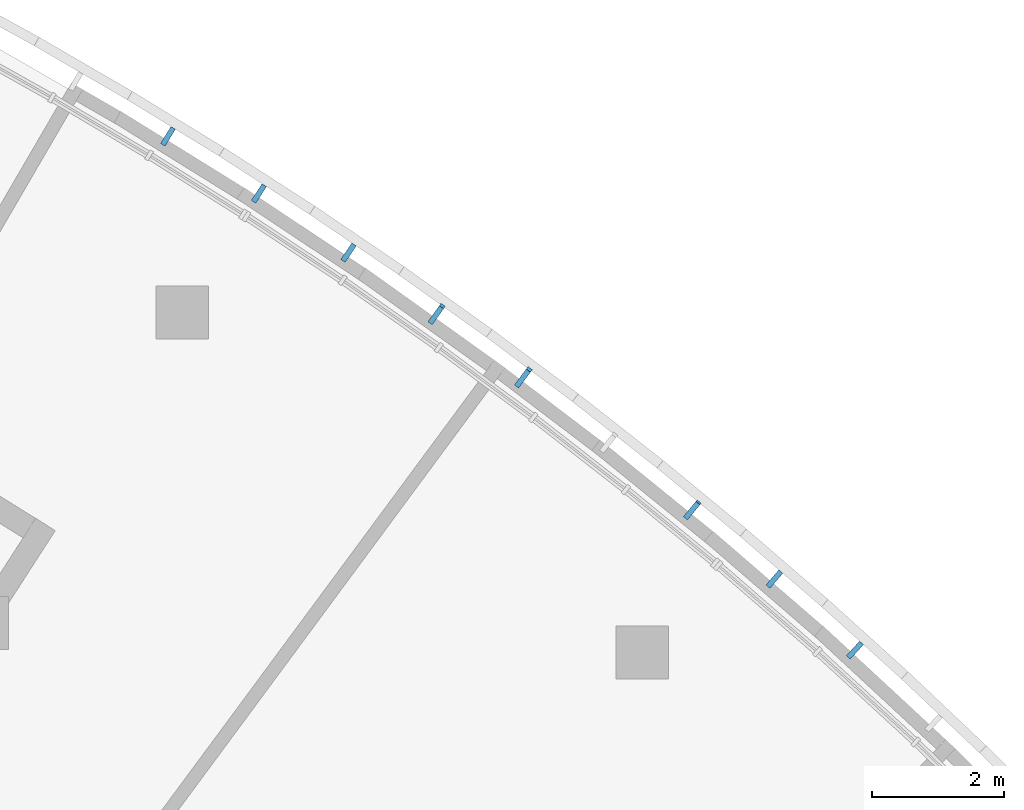
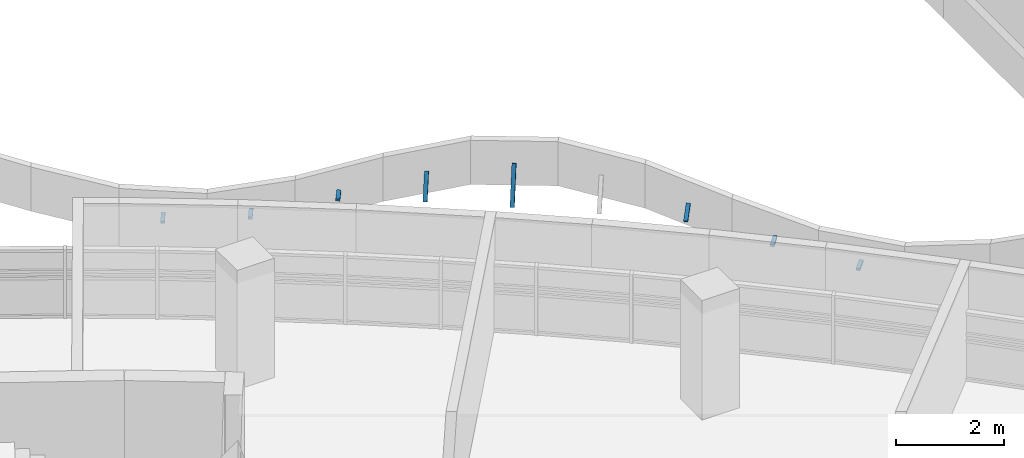
# One storey, part 76 of 89: 8 discrete accessories.
"""IFC4 building model written with IfcOpenShell, lengths in metres."""

from ifc_helpers import new_model, si_unit, direction, frame, origin, origin_2d, place, context, subcontext, project, spatial, rectangle, extrude, material, material_profile, profile_set, type_object, element, save


model = new_model("IFC4")

# Units and contexts
model_context = context("Model", 3, precision=1e-05, world=origin(), true_north=direction((0.0, 1.0)))
body_context = subcontext(model_context, "Body", "Model", "MODEL_VIEW")
ifc_project = project(units=[si_unit("LENGTHUNIT", "METRE"), si_unit("AREAUNIT", "SQUARE_METRE"), si_unit("VOLUMEUNIT", "CUBIC_METRE"), si_unit("PLANEANGLEUNIT", "RADIAN"), si_unit("MASSUNIT", "GRAM", prefix="KILO")], contexts=[model_context])

# Site, building, storey
site_placement = place(None, origin())
site = spatial("IfcSite", under=ifc_project, at=site_placement, CompositionType="ELEMENT")
building_placement = place(site_placement, origin())
building = spatial("IfcBuilding", under=site, at=building_placement, Name="Bougainvillea Quay General Hospital", CompositionType="ELEMENT")
storey_placement = place(building_placement, frame((0.0, 0.0, 9.89990234375)))
storey = spatial("IfcBuildingStorey", under=building, at=storey_placement, Name="L01M", CompositionType="ELEMENT", Elevation=9.89990234375)

# Discrete accessories
ifc_material = material(Name="Stainless steel bracket, grade 316", Category="steel")
ifc_material_profile = material_profile(ifc_material, rectangle(XDim=0.080078125, YDim=0.050048828125, at=origin_2d()))
ifc_profile_set = profile_set([ifc_material_profile], Name="Stainless steel bracket, grade 316")
discrete_accessory_type = type_object("IfcDiscreteAccessoryType", Name="Stainless steel stand-off bracket 80x50", PredefinedType="BRACKET", material=ifc_profile_set)
discrete_accessory_1_placement = place(storey_placement, frame((156.144287109375, 73.91943359375, 1.975341796875), z_axis=(0.670806734728, 0.741632203079, 0.0), x_axis=(-0.741632203079, 0.670806734728, 0.0)))
element("IfcDiscreteAccessory", 1, at=discrete_accessory_1_placement, inside=storey, type_object=discrete_accessory_type, Name="Fascia bracket a10 4", PredefinedType="BRACKET", context=body_context, shape_type="SweptSolid", body=[
    extrude(rectangle(XDim=0.080078125, YDim=0.050048828125, at=origin_2d()), origin(), (0.0, 0.0, 1.0), 0.2998046875),
])
discrete_accessory_2_placement = place(storey_placement, frame((154.927001953125, 74.99462890625, 2.289794921875), z_axis=(0.653535108512, 0.756896202885, 0.0), x_axis=(-0.756896202885, 0.653535108512, 0.0)))
element("IfcDiscreteAccessory", 2, at=discrete_accessory_2_placement, inside=storey, type_object=discrete_accessory_type, Name="Fascia bracket a10 5", PredefinedType="BRACKET", context=body_context, shape_type="SweptSolid", body=[
    extrude(rectangle(XDim=0.080078125, YDim=0.050048828125, at=origin_2d()), origin(), (0.0, 0.0, 1.0), 0.300048828125),
])
discrete_accessory_3_placement = place(storey_placement, frame((153.68505859375, 76.041259765625, 2.64013671875), z_axis=(0.528998044352, 0.642790197299, 0.55405941137), x_axis=(-0.77214157082, 0.635450544584, 0.0)))
element("IfcDiscreteAccessory", 3, at=discrete_accessory_3_placement, inside=storey, type_object=discrete_accessory_type, Name="Fascia bracket a10 6", PredefinedType="BRACKET", context=body_context, shape_type="SweptSolid", body=[
    extrude(rectangle(XDim=0.080078125, YDim=0.050048828125, at=origin_2d()), origin(), (0.0, 0.0, 1.0), 0.3603515625),
])
discrete_accessory_4_placement = place(storey_placement, frame((151.130126953125, 78.046875, 2.64013671875), z_axis=(0.212857486495, 0.28458120477, 0.934722005911), x_axis=(-0.80078057117, 0.598957825591, 0.0)))
element("IfcDiscreteAccessory", 4, at=discrete_accessory_4_placement, inside=storey, type_object=discrete_accessory_type, Name="Fascia bracket a10 8", PredefinedType="BRACKET", context=body_context, shape_type="SweptSolid", body=[
    extrude(rectangle(XDim=0.080078125, YDim=0.050048828125, at=origin_2d()), origin(), (0.0, 0.0, 1.0), 0.84423828125),
])
discrete_accessory_5_placement = place(storey_placement, frame((149.818359375, 79.004638671875, 2.64013671875), z_axis=(0.302967906249, 0.425344844538, 0.852814288698), x_axis=(-0.814502463305, 0.58016009624, 0.0)))
element("IfcDiscreteAccessory", 5, at=discrete_accessory_5_placement, inside=storey, type_object=discrete_accessory_type, Name="Fascia bracket a10 9", PredefinedType="BRACKET", context=body_context, shape_type="SweptSolid", body=[
    extrude(rectangle(XDim=0.080078125, YDim=0.050048828125, at=origin_2d()), origin(), (0.0, 0.0, 1.0), 0.574462890625),
])
discrete_accessory_6_placement = place(storey_placement, frame((148.48486328125, 79.931640625, 2.583984375), z_axis=(0.560884144234, 0.827894302883, 0.0), x_axis=(-0.827894302883, 0.560884144234, 0.0)))
element("IfcDiscreteAccessory", 6, at=discrete_accessory_6_placement, inside=storey, type_object=discrete_accessory_type, Name="Fascia bracket a10 10", PredefinedType="BRACKET", context=body_context, shape_type="SweptSolid", body=[
    extrude(rectangle(XDim=0.080078125, YDim=0.050048828125, at=origin_2d()), origin(), (0.0, 0.0, 1.0), 0.2998046875),
])
for number, where, z_axis, x_axis, name in (
    (7, (147.130126953125, 80.82763671875, 2.1044921875), (0.54186739594, 0.840463994004, 0.0), (-0.840463994004, 0.54186739594, 0.0), "Fascia bracket a10 11"),
    (8, (145.7548828125, 81.69189453125, 1.967041015625), (0.522371246556, 0.852718171949, 0.0), (-0.852718171949, 0.522371246556, 0.0), "Fascia bracket a10 12"),
):
    element("IfcDiscreteAccessory", number, at=place(storey_placement, frame(where, z_axis=z_axis, x_axis=x_axis)), inside=storey, type_object=discrete_accessory_type, Name=name, PredefinedType="BRACKET", context=body_context, shape_type="SweptSolid", body=[
        extrude(rectangle(XDim=0.080078125, YDim=0.050048828125, at=origin_2d()), origin(), (0.0, 0.0, 1.0), 0.300048828125),
    ])

save(model, "model.ifc")
